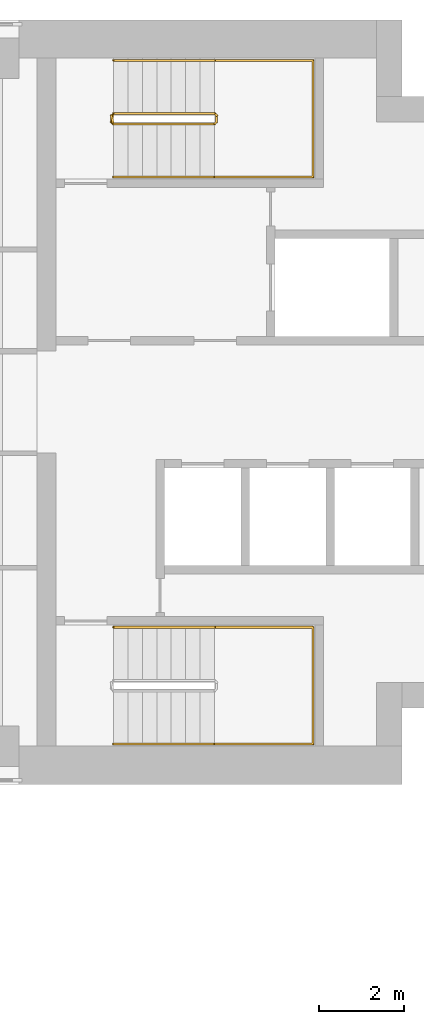
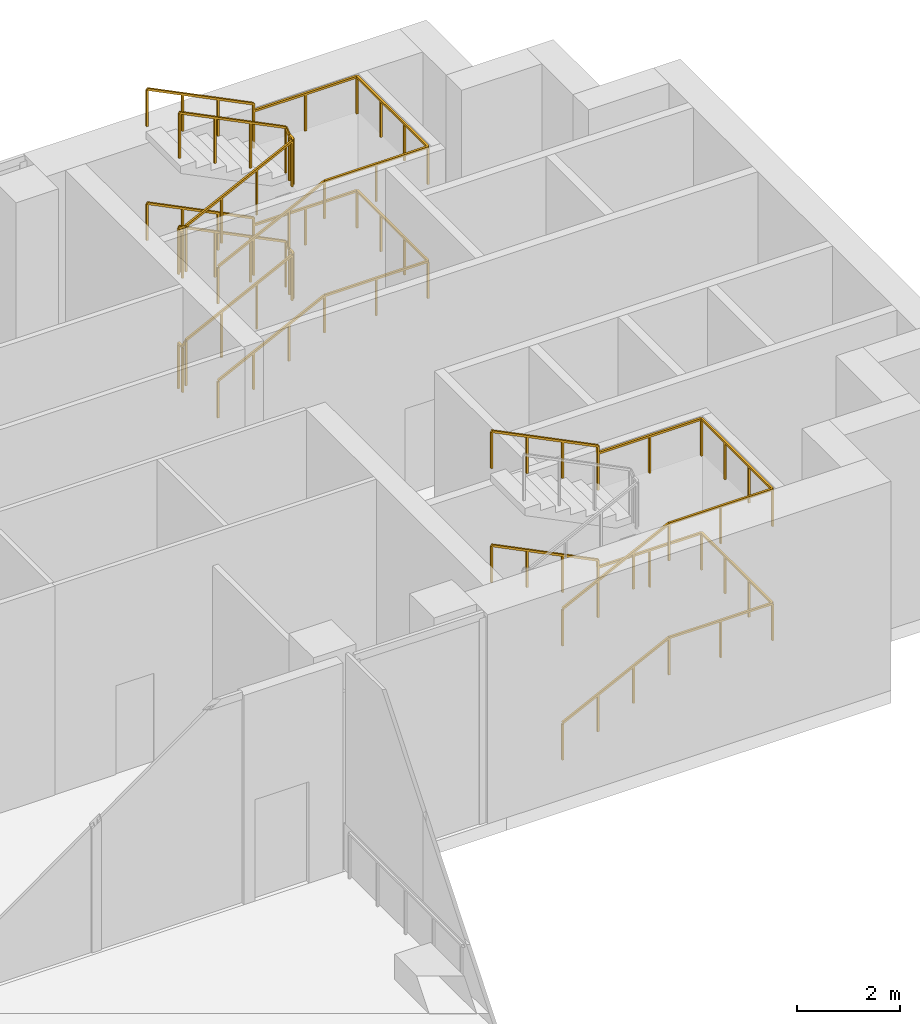
# One storey, part 12 of 12: 5 railings.
"""IFC4 building model written with IfcOpenShell, lengths in metres."""

from ifc_helpers import new_model, si_unit, direction, frame, origin, origin_2d, place, context, subcontext, project, spatial, rectangle, extrude, material, type_object, element, save


model = new_model("IFC4")

# Units and contexts
model_context = context("Model", 3, precision=1e-05, world=origin(), true_north=direction((0.0, 1.0)))
body_context = subcontext(model_context, "Body", "Model", "MODEL_VIEW")
ifc_project = project(units=[si_unit("LENGTHUNIT", "METRE"), si_unit("AREAUNIT", "SQUARE_METRE"), si_unit("VOLUMEUNIT", "CUBIC_METRE"), si_unit("PLANEANGLEUNIT", "RADIAN"), si_unit("MASSUNIT", "GRAM", prefix="KILO")], contexts=[model_context])

# Site, building, storey
site_placement = place(None, origin())
site = spatial("IfcSite", under=ifc_project, at=site_placement, CompositionType="ELEMENT")
building_placement = place(site_placement, origin())
building = spatial("IfcBuilding", under=site, at=building_placement, Name="Perihelion Cross Residences", CompositionType="ELEMENT")
storey_placement = place(building_placement, frame((0.0, 0.0, 222.60009765625)))
storey = spatial("IfcBuildingStorey", under=building, at=storey_placement, Name="L56", CompositionType="ELEMENT", Elevation=222.60009765625)

# Railings
ifc_material_1 = material(Name="Stainless steel", Category="steel")
railing_type_1 = type_object("IfcRailingType", Name="Stair guard 1100", PredefinedType="GUARDRAIL", material=ifc_material_1)
railing_1_placement = place(storey_placement, frame((23.35009765625, 6.75, 0.0)))
element("IfcRailing", 1, at=railing_1_placement, inside=storey, type_object=railing_type_1, Name="L56 ST-E1 stair guard 1", PredefinedType="GUARDRAIL", context=body_context, shape_type="SweptSolid", body=[
    extrude(rectangle(XDim=0.048095703125, YDim=0.048095703125, at=origin_2d()), frame((0.0, 0.0, 1.076171875), z_axis=(0.0, -1.0, 0.0), x_axis=(1.0, 0.0, 0.0)), (0.0, 0.0, 1.0), 0.14990234375),
    extrude(rectangle(XDim=0.048095703125, YDim=0.048095703125, at=origin_2d()), frame((0.0, -0.14990234375, 1.076171875), z_axis=(0.272333783174, -0.273668752699, 0.922463942026), x_axis=(0.708833529934, 0.705375805398, 0.0)), (0.0, 0.0, 1.0), 0.182861328125),
    extrude(rectangle(XDim=0.048095703125, YDim=0.048095703125, at=origin_2d()), frame((0.0498046875, -0.199951171875, 1.24462890625), z_axis=(0.895764654725, 0.0, 0.444528608017), x_axis=(0.0, 1.0, 0.0)), (0.0, 0.0, 1.0), 2.656982421875),
    extrude(rectangle(XDim=0.048095703125, YDim=0.048095703125, at=origin_2d()), frame((2.429931640625, -0.199951171875, 2.42578125), z_axis=(0.707106781187, 0.707106781187, 0.0), x_axis=(-0.707106781187, 0.707106781187, 0.0)), (0.0, 0.0, 1.0), 0.07080078125),
    extrude(rectangle(XDim=0.048095703125, YDim=0.048095703125, at=origin_2d()), frame((2.47998046875, -0.14990234375, 2.42578125), z_axis=(0.0, 1.0, 0.0), x_axis=(-1.0, 0.0, 0.0)), (0.0, 0.0, 1.0), 0.14990234375),
    extrude(rectangle(XDim=0.048095703125, YDim=0.048095703125, at=origin_2d()), frame((2.47998046875, 0.0, 2.42578125), z_axis=(-0.273569069059, 0.273569069059, 0.922127935218), x_axis=(-0.707106781187, -0.707106781187, 0.0)), (0.0, 0.0, 1.0), 0.182861328125),
    extrude(rectangle(XDim=0.048095703125, YDim=0.048095703125, at=origin_2d()), frame((2.429931640625, 0.050048828125, 2.5947265625), z_axis=(-0.895728066128, 0.0, 0.444602329674), x_axis=(0.0, -1.0, 0.0)), (0.0, 0.0, 1.0), 2.6572265625),
    extrude(rectangle(XDim=0.048095703125, YDim=0.048095703125, at=origin_2d()), frame((0.0498046875, 0.050048828125, 3.77587890625), z_axis=(-0.241699205484, -0.970351222016, 0.0), x_axis=(0.970351222016, -0.241699205484, 0.0)), (0.0, 0.0, 1.0), 0.2060546875),
    extrude(rectangle(XDim=0.048095703125, YDim=0.048095703125, at=origin_2d()), frame((0.0, -0.14990234375, 3.77587890625), z_axis=(0.0, 1.0, 0.0), x_axis=(-1.0, 0.0, 0.0)), (0.0, 0.0, 1.0), 0.14990234375),
    extrude(rectangle(XDim=0.048095703125, YDim=0.048095703125, at=origin_2d()), frame((0.0, 0.0, 3.77587890625), z_axis=(0.187017651923, -0.750820867278, 0.633476458228), x_axis=(0.970351222016, 0.241699205484, 0.0)), (0.0, 0.0, 1.0), 0.266357421875),
    extrude(rectangle(XDim=0.048095703125, YDim=0.048095703125, at=origin_2d()), frame((0.0498046875, -0.199951171875, 3.94482421875), z_axis=(0.895764654725, 0.0, 0.444528608017), x_axis=(0.0, 1.0, 0.0)), (0.0, 0.0, 1.0), 2.656982421875),
    extrude(rectangle(XDim=0.048095703125, YDim=0.048095703125, at=origin_2d()), frame((2.429931640625, -0.199951171875, 5.1259765625), z_axis=(0.707106781187, 0.707106781187, 0.0), x_axis=(-0.707106781187, 0.707106781187, 0.0)), (0.0, 0.0, 1.0), 0.07080078125),
    extrude(rectangle(XDim=0.048095703125, YDim=0.048095703125, at=origin_2d()), frame((2.47998046875, -0.14990234375, 5.1259765625), z_axis=(0.0, 1.0, 0.0), x_axis=(-1.0, 0.0, 0.0)), (0.0, 0.0, 1.0), 0.14990234375),
    extrude(rectangle(XDim=0.048095703125, YDim=0.048095703125, at=origin_2d()), frame((2.47998046875, 0.0, 5.1259765625), z_axis=(-0.273232802156, 0.273232802156, 0.922327312645), x_axis=(-0.707106781187, -0.707106781187, 0.0)), (0.0, 0.0, 1.0), 0.18310546875),
    extrude(rectangle(XDim=0.048095703125, YDim=0.048095703125, at=origin_2d()), frame((2.429931640625, 0.050048828125, 5.294921875), z_axis=(-0.895764654725, 0.0, 0.444528608017), x_axis=(0.0, -1.0, 0.0)), (0.0, 0.0, 1.0), 2.656982421875),
    extrude(rectangle(XDim=0.0419921875, YDim=0.0419921875, at=origin_2d()), origin(), (0.0, 0.0, 1.0), 1.052001953125),
    extrude(rectangle(XDim=0.0419921875, YDim=0.0419921875, at=origin_2d()), frame((0.0, -0.14990234375, 0.0)), (0.0, 0.0, 1.0), 1.052001953125),
    extrude(rectangle(XDim=0.0419921875, YDim=0.0419921875, at=origin_2d()), frame((0.0498046875, -0.199951171875, 0.168701171875)), (0.0, 0.0, 1.0), 1.052001953125),
    extrude(rectangle(XDim=0.0419921875, YDim=0.0419921875, at=origin_2d()), frame((0.84326171875, -0.199951171875, 0.5625)), (0.0, 0.0, 1.0), 1.052001953125),
    extrude(rectangle(XDim=0.0419921875, YDim=0.0419921875, at=origin_2d()), frame((1.636474609375, -0.199951171875, 0.9560546875)), (0.0, 0.0, 1.0), 1.052001953125),
    extrude(rectangle(XDim=0.0419921875, YDim=0.0419921875, at=origin_2d()), frame((2.429931640625, -0.199951171875, 1.349853515625)), (0.0, 0.0, 1.0), 1.052001953125),
    extrude(rectangle(XDim=0.0419921875, YDim=0.0419921875, at=origin_2d()), frame((2.47998046875, -0.14990234375, 1.349853515625)), (0.0, 0.0, 1.0), 1.052001953125),
    extrude(rectangle(XDim=0.0419921875, YDim=0.0419921875, at=origin_2d()), frame((2.47998046875, 0.0, 1.349853515625)), (0.0, 0.0, 1.0), 1.052001953125),
    extrude(rectangle(XDim=0.0419921875, YDim=0.0419921875, at=origin_2d()), frame((2.429931640625, 0.050048828125, 1.5185546875)), (0.0, 0.0, 1.0), 1.052001953125),
    extrude(rectangle(XDim=0.0419921875, YDim=0.0419921875, at=origin_2d()), frame((1.636474609375, 0.050048828125, 1.912353515625)), (0.0, 0.0, 1.0), 1.052001953125),
    extrude(rectangle(XDim=0.0419921875, YDim=0.0419921875, at=origin_2d()), frame((0.84326171875, 0.050048828125, 2.30615234375)), (0.0, 0.0, 1.0), 1.052001953125),
    extrude(rectangle(XDim=0.0419921875, YDim=0.0419921875, at=origin_2d()), frame((0.0498046875, 0.050048828125, 2.699951171875)), (0.0, 0.0, 1.0), 1.052001953125),
    extrude(rectangle(XDim=0.0419921875, YDim=0.0419921875, at=origin_2d()), frame((0.0, -0.14990234375, 2.699951171875)), (0.0, 0.0, 1.0), 1.052001953125),
    extrude(rectangle(XDim=0.0419921875, YDim=0.0419921875, at=origin_2d()), frame((0.0, 0.0, 2.699951171875)), (0.0, 0.0, 1.0), 1.052001953125),
    extrude(rectangle(XDim=0.0419921875, YDim=0.0419921875, at=origin_2d()), frame((0.0498046875, -0.199951171875, 2.86865234375)), (0.0, 0.0, 1.0), 1.052001953125),
    extrude(rectangle(XDim=0.0419921875, YDim=0.0419921875, at=origin_2d()), frame((0.84326171875, -0.199951171875, 3.262451171875)), (0.0, 0.0, 1.0), 1.052001953125),
    extrude(rectangle(XDim=0.0419921875, YDim=0.0419921875, at=origin_2d()), frame((1.636474609375, -0.199951171875, 3.656005859375)), (0.0, 0.0, 1.0), 1.052001953125),
    extrude(rectangle(XDim=0.0419921875, YDim=0.0419921875, at=origin_2d()), frame((2.429931640625, -0.199951171875, 4.0498046875)), (0.0, 0.0, 1.0), 1.052001953125),
    extrude(rectangle(XDim=0.0419921875, YDim=0.0419921875, at=origin_2d()), frame((2.47998046875, -0.14990234375, 4.0498046875)), (0.0, 0.0, 1.0), 1.052001953125),
    extrude(rectangle(XDim=0.0419921875, YDim=0.0419921875, at=origin_2d()), frame((2.47998046875, 0.0, 4.0498046875)), (0.0, 0.0, 1.0), 1.052001953125),
    extrude(rectangle(XDim=0.0419921875, YDim=0.0419921875, at=origin_2d()), frame((2.429931640625, 0.050048828125, 4.21875)), (0.0, 0.0, 1.0), 1.052001953125),
    extrude(rectangle(XDim=0.0419921875, YDim=0.0419921875, at=origin_2d()), frame((1.636474609375, 0.050048828125, 4.612548828125)), (0.0, 0.0, 1.0), 1.052001953125),
    extrude(rectangle(XDim=0.0419921875, YDim=0.0419921875, at=origin_2d()), frame((0.84326171875, 0.050048828125, 5.006103515625)), (0.0, 0.0, 1.0), 1.052001953125),
    extrude(rectangle(XDim=0.0419921875, YDim=0.0419921875, at=origin_2d()), frame((0.0498046875, 0.050048828125, 5.39990234375)), (0.0, 0.0, 1.0), 1.052001953125),
])
ifc_material_2 = material(Name="Stainless steel", Category="steel")
railing_type_2 = type_object("IfcRailingType", Name="Stair handrail 900", PredefinedType="HANDRAIL", material=ifc_material_2)
railing_2_placement = place(storey_placement, frame((23.39990234375, 5.300048828125, 0.168701171875)))
element("IfcRailing", 2, at=railing_2_placement, inside=storey, type_object=railing_type_2, Name="L56 ST-E1 stair handrail 1", PredefinedType="HANDRAIL", context=body_context, shape_type="SweptSolid", body=[
    extrude(rectangle(XDim=0.048095703125, YDim=0.048095703125, at=origin_2d()), frame((0.0, 0.0, 0.8759765625), z_axis=(0.895764654725, 0.0, 0.444528608017), x_axis=(0.0, 1.0, 0.0)), (0.0, 0.0, 1.0), 2.656982421875),
    extrude(rectangle(XDim=0.048095703125, YDim=0.048095703125, at=origin_2d()), frame((2.380126953125, 0.0, 2.05712890625), z_axis=(1.0, 0.0, 0.0), x_axis=(0.0, 1.0, 0.0)), (0.0, 0.0, 1.0), 2.320068359375),
    extrude(rectangle(XDim=0.048095703125, YDim=0.048095703125, at=origin_2d()), frame((4.7001953125, 0.0, 2.05712890625), z_axis=(0.0, 1.0, 0.0), x_axis=(-1.0, 0.0, 0.0)), (0.0, 0.0, 1.0), 2.75),
    extrude(rectangle(XDim=0.048095703125, YDim=0.048095703125, at=origin_2d()), frame((4.7001953125, 2.75, 2.05712890625), z_axis=(-1.0, 0.0, 0.0), x_axis=(0.0, -1.0, 0.0)), (0.0, 0.0, 1.0), 2.320068359375),
    extrude(rectangle(XDim=0.048095703125, YDim=0.048095703125, at=origin_2d()), frame((2.380126953125, 2.75, 2.05712890625), z_axis=(0.0, 0.0, 1.0), x_axis=(1.0, 0.0, 0.0)), (0.0, 0.0, 1.0), 0.168701171875),
    extrude(rectangle(XDim=0.048095703125, YDim=0.048095703125, at=origin_2d()), frame((2.380126953125, 2.75, 2.2255859375), z_axis=(-0.895728066128, 0.0, 0.444602329674), x_axis=(0.0, -1.0, 0.0)), (0.0, 0.0, 1.0), 2.6572265625),
    extrude(rectangle(XDim=0.0419921875, YDim=0.0419921875, at=origin_2d()), origin(), (0.0, 0.0, 1.0), 0.851806640625),
    extrude(rectangle(XDim=0.0419921875, YDim=0.0419921875, at=origin_2d()), frame((0.79345703125, 0.0, 0.393798828125)), (0.0, 0.0, 1.0), 0.851806640625),
    extrude(rectangle(XDim=0.0419921875, YDim=0.0419921875, at=origin_2d()), frame((1.586669921875, 0.0, 0.787353515625)), (0.0, 0.0, 1.0), 0.851806640625),
    extrude(rectangle(XDim=0.0419921875, YDim=0.0419921875, at=origin_2d()), frame((2.380126953125, 0.0, 1.18115234375)), (0.0, 0.0, 1.0), 0.851806640625),
    extrude(rectangle(XDim=0.0419921875, YDim=0.0419921875, at=origin_2d()), frame((3.5400390625, 0.0, 1.18115234375)), (0.0, 0.0, 1.0), 0.851806640625),
    extrude(rectangle(XDim=0.0419921875, YDim=0.0419921875, at=origin_2d()), frame((4.7001953125, 0.0, 1.18115234375)), (0.0, 0.0, 1.0), 0.851806640625),
    extrude(rectangle(XDim=0.0419921875, YDim=0.0419921875, at=origin_2d()), frame((4.7001953125, 0.916748046875, 1.18115234375)), (0.0, 0.0, 1.0), 0.851806640625),
    extrude(rectangle(XDim=0.0419921875, YDim=0.0419921875, at=origin_2d()), frame((4.7001953125, 1.833251953125, 1.18115234375)), (0.0, 0.0, 1.0), 0.851806640625),
    extrude(rectangle(XDim=0.0419921875, YDim=0.0419921875, at=origin_2d()), frame((4.7001953125, 2.75, 1.18115234375)), (0.0, 0.0, 1.0), 0.851806640625),
    extrude(rectangle(XDim=0.0419921875, YDim=0.0419921875, at=origin_2d()), frame((3.5400390625, 2.75, 1.18115234375)), (0.0, 0.0, 1.0), 0.851806640625),
    extrude(rectangle(XDim=0.0419921875, YDim=0.0419921875, at=origin_2d()), frame((2.380126953125, 2.75, 1.18115234375)), (0.0, 0.0, 1.0), 0.851806640625),
    extrude(rectangle(XDim=0.0419921875, YDim=0.0419921875, at=origin_2d()), frame((2.380126953125, 2.75, 1.349853515625)), (0.0, 0.0, 1.0), 0.851806640625),
    extrude(rectangle(XDim=0.0419921875, YDim=0.0419921875, at=origin_2d()), frame((1.586669921875, 2.75, 1.74365234375)), (0.0, 0.0, 1.0), 0.851806640625),
    extrude(rectangle(XDim=0.0419921875, YDim=0.0419921875, at=origin_2d()), frame((0.79345703125, 2.75, 2.137451171875)), (0.0, 0.0, 1.0), 0.851806640625),
    extrude(rectangle(XDim=0.0419921875, YDim=0.0419921875, at=origin_2d()), frame((0.0, 2.75, 2.53125)), (0.0, 0.0, 1.0), 0.851806640625),
])
railing_3_placement = place(storey_placement, frame((23.39990234375, 5.300048828125, 2.86865234375)))
element("IfcRailing", 3, at=railing_3_placement, inside=storey, type_object=railing_type_2, Name="L56 ST-E1 stair handrail 2", PredefinedType="HANDRAIL", context=body_context, shape_type="SweptSolid", body=[
    extrude(rectangle(XDim=0.048095703125, YDim=0.048095703125, at=origin_2d()), frame((0.0, 0.0, 0.8759765625), z_axis=(0.895764654725, 0.0, 0.444528608017), x_axis=(0.0, 1.0, 0.0)), (0.0, 0.0, 1.0), 2.656982421875),
    extrude(rectangle(XDim=0.048095703125, YDim=0.048095703125, at=origin_2d()), frame((2.380126953125, 0.0, 2.05712890625), z_axis=(1.0, 0.0, 0.0), x_axis=(0.0, 1.0, 0.0)), (0.0, 0.0, 1.0), 2.320068359375),
    extrude(rectangle(XDim=0.048095703125, YDim=0.048095703125, at=origin_2d()), frame((4.7001953125, 0.0, 2.05712890625), z_axis=(0.0, 1.0, 0.0), x_axis=(-1.0, 0.0, 0.0)), (0.0, 0.0, 1.0), 2.75),
    extrude(rectangle(XDim=0.048095703125, YDim=0.048095703125, at=origin_2d()), frame((4.7001953125, 2.75, 2.05712890625), z_axis=(-1.0, 0.0, 0.0), x_axis=(0.0, -1.0, 0.0)), (0.0, 0.0, 1.0), 2.320068359375),
    extrude(rectangle(XDim=0.048095703125, YDim=0.048095703125, at=origin_2d()), frame((2.380126953125, 2.75, 2.05712890625), z_axis=(0.0, 0.0, 1.0), x_axis=(1.0, 0.0, 0.0)), (0.0, 0.0, 1.0), 0.1689453125),
    extrude(rectangle(XDim=0.048095703125, YDim=0.048095703125, at=origin_2d()), frame((2.380126953125, 2.75, 2.22607421875), z_axis=(-0.895764654725, 0.0, 0.444528608017), x_axis=(0.0, -1.0, 0.0)), (0.0, 0.0, 1.0), 2.656982421875),
    extrude(rectangle(XDim=0.0419921875, YDim=0.0419921875, at=origin_2d()), origin(), (0.0, 0.0, 1.0), 0.851806640625),
    extrude(rectangle(XDim=0.0419921875, YDim=0.0419921875, at=origin_2d()), frame((0.79345703125, 0.0, 0.393798828125)), (0.0, 0.0, 1.0), 0.851806640625),
    extrude(rectangle(XDim=0.0419921875, YDim=0.0419921875, at=origin_2d()), frame((1.586669921875, 0.0, 0.787353515625)), (0.0, 0.0, 1.0), 0.851806640625),
    extrude(rectangle(XDim=0.0419921875, YDim=0.0419921875, at=origin_2d()), frame((2.380126953125, 0.0, 1.18115234375)), (0.0, 0.0, 1.0), 0.851806640625),
    extrude(rectangle(XDim=0.0419921875, YDim=0.0419921875, at=origin_2d()), frame((3.5400390625, 0.0, 1.18115234375)), (0.0, 0.0, 1.0), 0.851806640625),
    extrude(rectangle(XDim=0.0419921875, YDim=0.0419921875, at=origin_2d()), frame((4.7001953125, 0.0, 1.18115234375)), (0.0, 0.0, 1.0), 0.851806640625),
    extrude(rectangle(XDim=0.0419921875, YDim=0.0419921875, at=origin_2d()), frame((4.7001953125, 0.916748046875, 1.18115234375)), (0.0, 0.0, 1.0), 0.851806640625),
    extrude(rectangle(XDim=0.0419921875, YDim=0.0419921875, at=origin_2d()), frame((4.7001953125, 1.833251953125, 1.18115234375)), (0.0, 0.0, 1.0), 0.851806640625),
    extrude(rectangle(XDim=0.0419921875, YDim=0.0419921875, at=origin_2d()), frame((4.7001953125, 2.75, 1.18115234375)), (0.0, 0.0, 1.0), 0.851806640625),
    extrude(rectangle(XDim=0.0419921875, YDim=0.0419921875, at=origin_2d()), frame((3.5400390625, 2.75, 1.18115234375)), (0.0, 0.0, 1.0), 0.851806640625),
    extrude(rectangle(XDim=0.0419921875, YDim=0.0419921875, at=origin_2d()), frame((2.380126953125, 2.75, 1.18115234375)), (0.0, 0.0, 1.0), 0.851806640625),
    extrude(rectangle(XDim=0.0419921875, YDim=0.0419921875, at=origin_2d()), frame((2.380126953125, 2.75, 1.35009765625)), (0.0, 0.0, 1.0), 0.851806640625),
    extrude(rectangle(XDim=0.0419921875, YDim=0.0419921875, at=origin_2d()), frame((1.586669921875, 2.75, 1.743896484375)), (0.0, 0.0, 1.0), 0.851806640625),
    extrude(rectangle(XDim=0.0419921875, YDim=0.0419921875, at=origin_2d()), frame((0.79345703125, 2.75, 2.137451171875)), (0.0, 0.0, 1.0), 0.851806640625),
    extrude(rectangle(XDim=0.0419921875, YDim=0.0419921875, at=origin_2d()), frame((0.0, 2.75, 2.53125)), (0.0, 0.0, 1.0), 0.851806640625),
])
railing_4_placement = place(storey_placement, frame((23.39990234375, -8.050048828125, 0.168701171875)))
element("IfcRailing", 4, at=railing_4_placement, inside=storey, type_object=railing_type_2, Name="L56 ST-E2 stair handrail 1", PredefinedType="HANDRAIL", context=body_context, shape_type="SweptSolid", body=[
    extrude(rectangle(XDim=0.048095703125, YDim=0.048095703125, at=origin_2d()), frame((0.0, 0.0, 0.8759765625), z_axis=(0.895764654725, 0.0, 0.444528608017), x_axis=(0.0, 1.0, 0.0)), (0.0, 0.0, 1.0), 2.656982421875),
    extrude(rectangle(XDim=0.048095703125, YDim=0.048095703125, at=origin_2d()), frame((2.380126953125, 0.0, 2.05712890625), z_axis=(1.0, 0.0, 0.0), x_axis=(0.0, 1.0, 0.0)), (0.0, 0.0, 1.0), 2.320068359375),
    extrude(rectangle(XDim=0.048095703125, YDim=0.048095703125, at=origin_2d()), frame((4.7001953125, 0.0, 2.05712890625), z_axis=(0.0, 1.0, 0.0), x_axis=(-1.0, 0.0, 0.0)), (0.0, 0.0, 1.0), 2.75),
    extrude(rectangle(XDim=0.048095703125, YDim=0.048095703125, at=origin_2d()), frame((4.7001953125, 2.75, 2.05712890625), z_axis=(-1.0, 0.0, 0.0), x_axis=(0.0, -1.0, 0.0)), (0.0, 0.0, 1.0), 2.320068359375),
    extrude(rectangle(XDim=0.048095703125, YDim=0.048095703125, at=origin_2d()), frame((2.380126953125, 2.75, 2.05712890625), z_axis=(0.0, 0.0, 1.0), x_axis=(1.0, 0.0, 0.0)), (0.0, 0.0, 1.0), 0.168701171875),
    extrude(rectangle(XDim=0.048095703125, YDim=0.048095703125, at=origin_2d()), frame((2.380126953125, 2.75, 2.2255859375), z_axis=(-0.895728066128, 0.0, 0.444602329674), x_axis=(0.0, -1.0, 0.0)), (0.0, 0.0, 1.0), 2.6572265625),
    extrude(rectangle(XDim=0.0419921875, YDim=0.0419921875, at=origin_2d()), origin(), (0.0, 0.0, 1.0), 0.851806640625),
    extrude(rectangle(XDim=0.0419921875, YDim=0.0419921875, at=origin_2d()), frame((0.79345703125, 0.0, 0.393798828125)), (0.0, 0.0, 1.0), 0.851806640625),
    extrude(rectangle(XDim=0.0419921875, YDim=0.0419921875, at=origin_2d()), frame((1.586669921875, 0.0, 0.787353515625)), (0.0, 0.0, 1.0), 0.851806640625),
    extrude(rectangle(XDim=0.0419921875, YDim=0.0419921875, at=origin_2d()), frame((2.380126953125, 0.0, 1.18115234375)), (0.0, 0.0, 1.0), 0.851806640625),
    extrude(rectangle(XDim=0.0419921875, YDim=0.0419921875, at=origin_2d()), frame((3.5400390625, 0.0, 1.18115234375)), (0.0, 0.0, 1.0), 0.851806640625),
    extrude(rectangle(XDim=0.0419921875, YDim=0.0419921875, at=origin_2d()), frame((4.7001953125, 0.0, 1.18115234375)), (0.0, 0.0, 1.0), 0.851806640625),
    extrude(rectangle(XDim=0.0419921875, YDim=0.0419921875, at=origin_2d()), frame((4.7001953125, 0.916748046875, 1.18115234375)), (0.0, 0.0, 1.0), 0.851806640625),
    extrude(rectangle(XDim=0.0419921875, YDim=0.0419921875, at=origin_2d()), frame((4.7001953125, 1.833251953125, 1.18115234375)), (0.0, 0.0, 1.0), 0.851806640625),
    extrude(rectangle(XDim=0.0419921875, YDim=0.0419921875, at=origin_2d()), frame((4.7001953125, 2.75, 1.18115234375)), (0.0, 0.0, 1.0), 0.851806640625),
    extrude(rectangle(XDim=0.0419921875, YDim=0.0419921875, at=origin_2d()), frame((3.5400390625, 2.75, 1.18115234375)), (0.0, 0.0, 1.0), 0.851806640625),
    extrude(rectangle(XDim=0.0419921875, YDim=0.0419921875, at=origin_2d()), frame((2.380126953125, 2.75, 1.18115234375)), (0.0, 0.0, 1.0), 0.851806640625),
    extrude(rectangle(XDim=0.0419921875, YDim=0.0419921875, at=origin_2d()), frame((2.380126953125, 2.75, 1.349853515625)), (0.0, 0.0, 1.0), 0.851806640625),
    extrude(rectangle(XDim=0.0419921875, YDim=0.0419921875, at=origin_2d()), frame((1.586669921875, 2.75, 1.74365234375)), (0.0, 0.0, 1.0), 0.851806640625),
    extrude(rectangle(XDim=0.0419921875, YDim=0.0419921875, at=origin_2d()), frame((0.79345703125, 2.75, 2.137451171875)), (0.0, 0.0, 1.0), 0.851806640625),
    extrude(rectangle(XDim=0.0419921875, YDim=0.0419921875, at=origin_2d()), frame((0.0, 2.75, 2.53125)), (0.0, 0.0, 1.0), 0.851806640625),
])
railing_5_placement = place(storey_placement, frame((23.39990234375, -8.050048828125, 2.86865234375)))
element("IfcRailing", 5, at=railing_5_placement, inside=storey, type_object=railing_type_2, Name="L56 ST-E2 stair handrail 2", PredefinedType="HANDRAIL", context=body_context, shape_type="SweptSolid", body=[
    extrude(rectangle(XDim=0.048095703125, YDim=0.048095703125, at=origin_2d()), frame((0.0, 0.0, 0.8759765625), z_axis=(0.895764654725, 0.0, 0.444528608017), x_axis=(0.0, 1.0, 0.0)), (0.0, 0.0, 1.0), 2.656982421875),
    extrude(rectangle(XDim=0.048095703125, YDim=0.048095703125, at=origin_2d()), frame((2.380126953125, 0.0, 2.05712890625), z_axis=(1.0, 0.0, 0.0), x_axis=(0.0, 1.0, 0.0)), (0.0, 0.0, 1.0), 2.320068359375),
    extrude(rectangle(XDim=0.048095703125, YDim=0.048095703125, at=origin_2d()), frame((4.7001953125, 0.0, 2.05712890625), z_axis=(0.0, 1.0, 0.0), x_axis=(-1.0, 0.0, 0.0)), (0.0, 0.0, 1.0), 2.75),
    extrude(rectangle(XDim=0.048095703125, YDim=0.048095703125, at=origin_2d()), frame((4.7001953125, 2.75, 2.05712890625), z_axis=(-1.0, 0.0, 0.0), x_axis=(0.0, -1.0, 0.0)), (0.0, 0.0, 1.0), 2.320068359375),
    extrude(rectangle(XDim=0.048095703125, YDim=0.048095703125, at=origin_2d()), frame((2.380126953125, 2.75, 2.05712890625), z_axis=(0.0, 0.0, 1.0), x_axis=(1.0, 0.0, 0.0)), (0.0, 0.0, 1.0), 0.1689453125),
    extrude(rectangle(XDim=0.048095703125, YDim=0.048095703125, at=origin_2d()), frame((2.380126953125, 2.75, 2.22607421875), z_axis=(-0.895764654725, 0.0, 0.444528608017), x_axis=(0.0, -1.0, 0.0)), (0.0, 0.0, 1.0), 2.656982421875),
    extrude(rectangle(XDim=0.0419921875, YDim=0.0419921875, at=origin_2d()), origin(), (0.0, 0.0, 1.0), 0.851806640625),
    extrude(rectangle(XDim=0.0419921875, YDim=0.0419921875, at=origin_2d()), frame((0.79345703125, 0.0, 0.393798828125)), (0.0, 0.0, 1.0), 0.851806640625),
    extrude(rectangle(XDim=0.0419921875, YDim=0.0419921875, at=origin_2d()), frame((1.586669921875, 0.0, 0.787353515625)), (0.0, 0.0, 1.0), 0.851806640625),
    extrude(rectangle(XDim=0.0419921875, YDim=0.0419921875, at=origin_2d()), frame((2.380126953125, 0.0, 1.18115234375)), (0.0, 0.0, 1.0), 0.851806640625),
    extrude(rectangle(XDim=0.0419921875, YDim=0.0419921875, at=origin_2d()), frame((3.5400390625, 0.0, 1.18115234375)), (0.0, 0.0, 1.0), 0.851806640625),
    extrude(rectangle(XDim=0.0419921875, YDim=0.0419921875, at=origin_2d()), frame((4.7001953125, 0.0, 1.18115234375)), (0.0, 0.0, 1.0), 0.851806640625),
    extrude(rectangle(XDim=0.0419921875, YDim=0.0419921875, at=origin_2d()), frame((4.7001953125, 0.916748046875, 1.18115234375)), (0.0, 0.0, 1.0), 0.851806640625),
    extrude(rectangle(XDim=0.0419921875, YDim=0.0419921875, at=origin_2d()), frame((4.7001953125, 1.833251953125, 1.18115234375)), (0.0, 0.0, 1.0), 0.851806640625),
    extrude(rectangle(XDim=0.0419921875, YDim=0.0419921875, at=origin_2d()), frame((4.7001953125, 2.75, 1.18115234375)), (0.0, 0.0, 1.0), 0.851806640625),
    extrude(rectangle(XDim=0.0419921875, YDim=0.0419921875, at=origin_2d()), frame((3.5400390625, 2.75, 1.18115234375)), (0.0, 0.0, 1.0), 0.851806640625),
    extrude(rectangle(XDim=0.0419921875, YDim=0.0419921875, at=origin_2d()), frame((2.380126953125, 2.75, 1.18115234375)), (0.0, 0.0, 1.0), 0.851806640625),
    extrude(rectangle(XDim=0.0419921875, YDim=0.0419921875, at=origin_2d()), frame((2.380126953125, 2.75, 1.35009765625)), (0.0, 0.0, 1.0), 0.851806640625),
    extrude(rectangle(XDim=0.0419921875, YDim=0.0419921875, at=origin_2d()), frame((1.586669921875, 2.75, 1.743896484375)), (0.0, 0.0, 1.0), 0.851806640625),
    extrude(rectangle(XDim=0.0419921875, YDim=0.0419921875, at=origin_2d()), frame((0.79345703125, 2.75, 2.137451171875)), (0.0, 0.0, 1.0), 0.851806640625),
    extrude(rectangle(XDim=0.0419921875, YDim=0.0419921875, at=origin_2d()), frame((0.0, 2.75, 2.53125)), (0.0, 0.0, 1.0), 0.851806640625),
])

save(model, "model.ifc")
